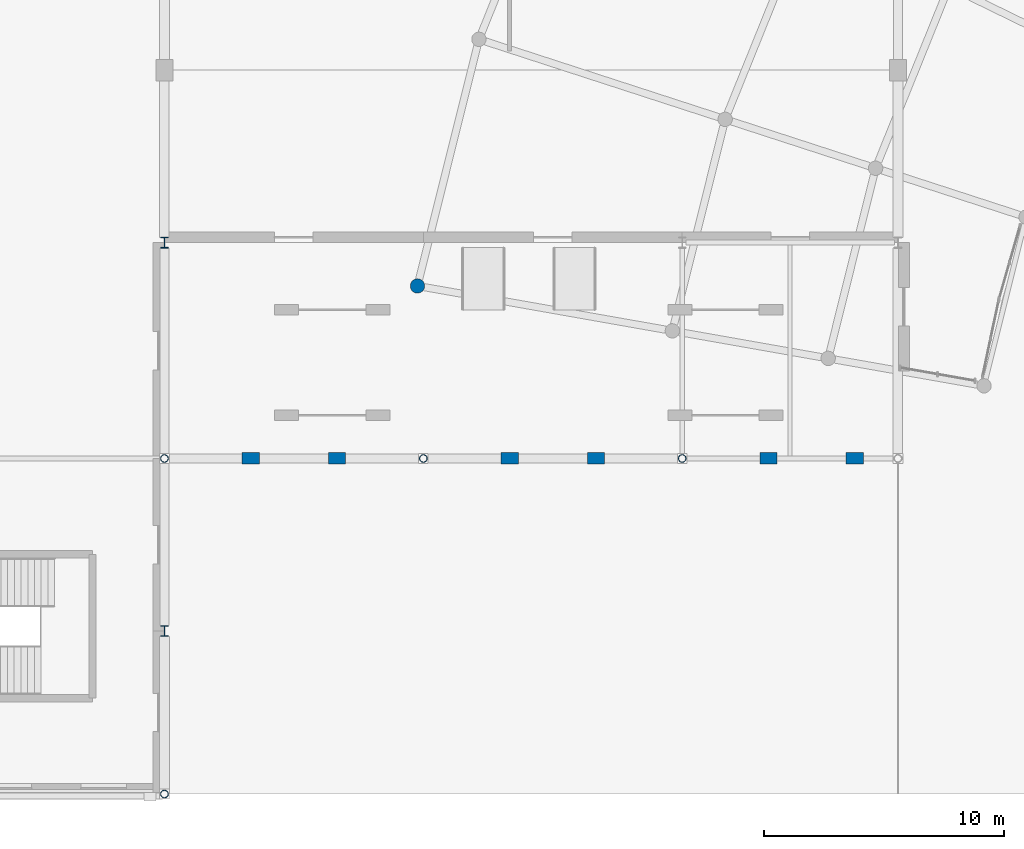
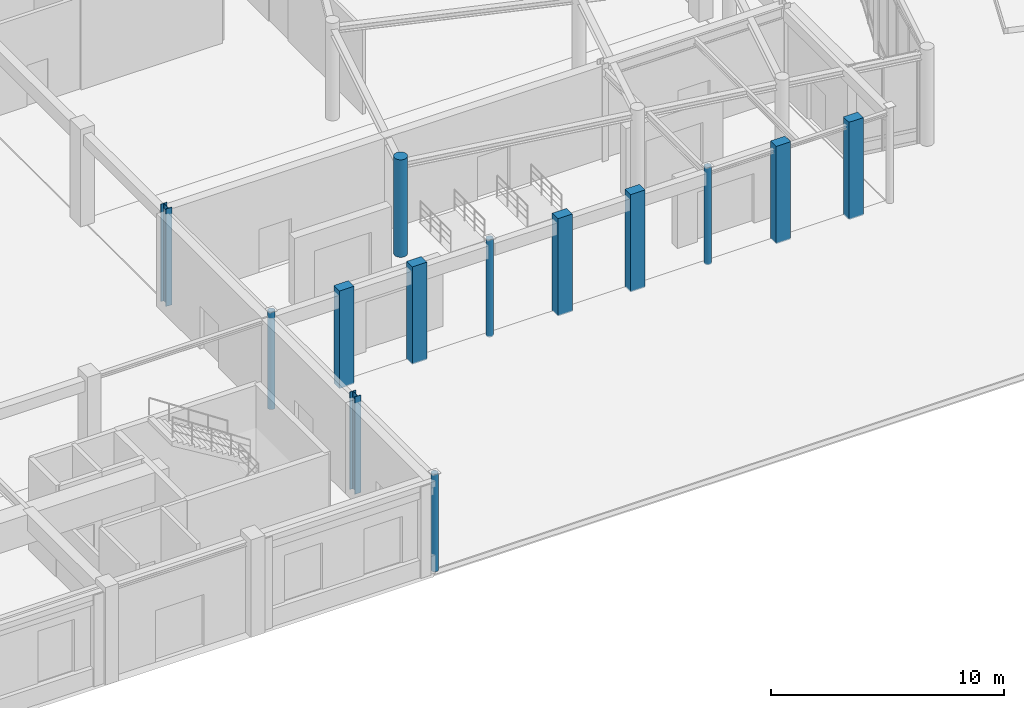
# One storey, part 2 of 64: 13 columns.
"""IFC4 building model written with IfcOpenShell, lengths in metres."""

from ifc_helpers import new_model, si_unit, direction, frame, origin, origin_2d, place, context, subcontext, project, spatial, rectangle, circle, hollow_circle, i_section, extrude, material, material_profile, profile_set, type_object, element, save


model = new_model("IFC4")

# Units and contexts
model_context = context("Model", 3, precision=1e-05, world=origin(), true_north=direction((0.0, 1.0)))
body_context = subcontext(model_context, "Body", "Model", "MODEL_VIEW")
ifc_project = project(units=[si_unit("LENGTHUNIT", "METRE"), si_unit("AREAUNIT", "SQUARE_METRE"), si_unit("VOLUMEUNIT", "CUBIC_METRE"), si_unit("PLANEANGLEUNIT", "RADIAN"), si_unit("MASSUNIT", "GRAM", prefix="KILO")], contexts=[model_context])

# Site, building, storey
site_placement = place(None, origin())
site = spatial("IfcSite", under=ifc_project, at=site_placement, CompositionType="ELEMENT")
building_placement = place(site_placement, origin())
building = spatial("IfcBuilding", under=site, at=building_placement, Name="Clarverna Civic Hall", CompositionType="ELEMENT")
storey_placement = place(building_placement, origin())
storey = spatial("IfcBuildingStorey", under=building, at=storey_placement, Name="L00", CompositionType="ELEMENT", Elevation=0.0)

# Columns
ifc_material_1 = material(Name="Concrete C35/45", Category="concrete")
ifc_material_profile_1 = material_profile(ifc_material_1, circle(Radius=0.300048828125, at=origin_2d()), Name="RC D600")
ifc_profile_set_1 = profile_set([ifc_material_profile_1], Name="Concrete C35/45")
column_type_1 = type_object("IfcColumnType", Name="C-CV1", PredefinedType="COLUMN", material=ifc_profile_set_1)
column_placement = place(storey_placement, frame((77.154541015625, 21.197265625, 0.0), z_axis=(0.0, 0.0, 1.0), x_axis=(1.0, 0.0, 0.0)))
element("IfcColumn", 1, at=column_placement, inside=storey, type_object=column_type_1, Name="C-CV1-038", PredefinedType="COLUMN", context=body_context, shape_type="SweptSolid", body=[
    extrude(circle(Radius=0.300048828125, at=origin_2d()), origin(), (0.0, 0.0, 1.0), 5.10009765625),
])
ifc_material_2 = material(Name="Precast concrete C40/50", Category="concrete")
ifc_material_profile_2 = material_profile(ifc_material_2, rectangle(XDim=0.719970703125, YDim=0.47998046875, at=origin_2d()), Name="PILASTER 720x480")
ifc_profile_set_2 = profile_set([ifc_material_profile_2], Name="Precast concrete C40/50")
column_type_2 = type_object("IfcColumnType", Name="C-PL3", PredefinedType="PILASTER", material=ifc_profile_set_2)
for number, where, z_axis, x_axis, name in (
    (2, (70.199951171875, 14.0, 0.0), (0.0, 0.0, 1.0), (1.0, 0.0, 0.0), "C-PL3-002"),
    (3, (73.800048828125, 14.0, 0.0), (0.0, 0.0, 1.0), (1.0, 0.0, 0.0), "C-PL3-004"),
    (4, (81.0, 14.0, 0.0), (0.0, 0.0, 1.0), (1.0, 0.0, 0.0), "C-PL3-006"),
    (5, (84.60009765625, 14.0, 0.0), (0.0, 0.0, 1.0), (1.0, 0.0, 0.0), "C-PL3-008"),
    (6, (91.800048828125, 14.0, 0.0), (0.0, 0.0, 1.0), (1.0, 0.0, 0.0), "C-PL3-010"),
    (7, (95.39990234375, 14.0, 0.0), (0.0, 0.0, 1.0), (1.0, 0.0, 0.0), "C-PL3-012"),
):
    element("IfcColumn", number, at=place(storey_placement, frame(where, z_axis=z_axis, x_axis=x_axis)), inside=storey, type_object=column_type_2, Name=name, PredefinedType="PILASTER", context=body_context, shape_type="SweptSolid", body=[
        extrude(rectangle(XDim=0.719970703125, YDim=0.47998046875, at=origin_2d()), origin(), (0.0, 0.0, 1.0), 5.10009765625),
    ])
ifc_material_3 = material(Name="Steel S355", Category="steel")
ifc_material_profile_3 = material_profile(ifc_material_3, hollow_circle(Radius=0.161865234375, WallThickness=0.012451171875, at=origin_2d()), Name="CHS 323.9x12.5")
ifc_profile_set_3 = profile_set([ifc_material_profile_3], Name="Steel S355")
column_type_3 = type_object("IfcColumnType", Name="C-ST13", PredefinedType="COLUMN", material=ifc_profile_set_3)
for number, where, z_axis, x_axis, name in (
    (8, (66.60009765625, 0.0, 0.0), (0.0, 0.0, 1.0), (1.0, 0.0, 0.0), "C-ST13-001"),
    (9, (66.60009765625, 14.0, 0.0), (0.0, 0.0, 1.0), (1.0, 0.0, 0.0), "C-ST13-002"),
    (10, (77.39990234375, 14.0, 0.0), (0.0, 0.0, 1.0), (1.0, 0.0, 0.0), "C-ST13-003"),
    (11, (88.199951171875, 14.0, 0.0), (0.0, 0.0, 1.0), (1.0, 0.0, 0.0), "C-ST13-004"),
):
    element("IfcColumn", number, at=place(storey_placement, frame(where, z_axis=z_axis, x_axis=x_axis)), inside=storey, type_object=column_type_3, Name=name, PredefinedType="COLUMN", context=body_context, shape_type="SweptSolid", body=[
        extrude(hollow_circle(Radius=0.161865234375, WallThickness=0.012451171875, at=origin_2d()), origin(), (0.0, 0.0, 1.0), 5.10009765625),
    ])
ifc_material_profile_4 = material_profile(ifc_material_3, i_section(OverallWidth=0.300048828125, OverallDepth=0.449951171875, WebThickness=0.013916015625, FlangeThickness=0.02587890625, FilletRadius=0.027099609375, at=origin_2d()), Name="HEB 450")
ifc_profile_set_4 = profile_set([ifc_material_profile_4], Name="Steel S355")
column_type_4 = type_object("IfcColumnType", Name="C-ST2", PredefinedType="COLUMN", material=ifc_profile_set_4)
for number, where, z_axis, x_axis, name in (
    (12, (66.60009765625, 6.800048828125, 0.0), (0.0, 0.0, 1.0), (1.0, 0.0, 0.0), "C-ST2-001"),
    (13, (66.60009765625, 23.0, 0.0), (0.0, 0.0, 1.0), (1.0, 0.0, 0.0), "C-ST2-002"),
):
    element("IfcColumn", number, at=place(storey_placement, frame(where, z_axis=z_axis, x_axis=x_axis)), inside=storey, type_object=column_type_4, Name=name, PredefinedType="COLUMN", context=body_context, shape_type="SweptSolid", body=[
        extrude(i_section(OverallWidth=0.300048828125, OverallDepth=0.449951171875, WebThickness=0.013916015625, FlangeThickness=0.02587890625, FilletRadius=0.027099609375, at=origin_2d()), origin(), (0.0, 0.0, 1.0), 5.10009765625),
    ])

save(model, "model.ifc")
